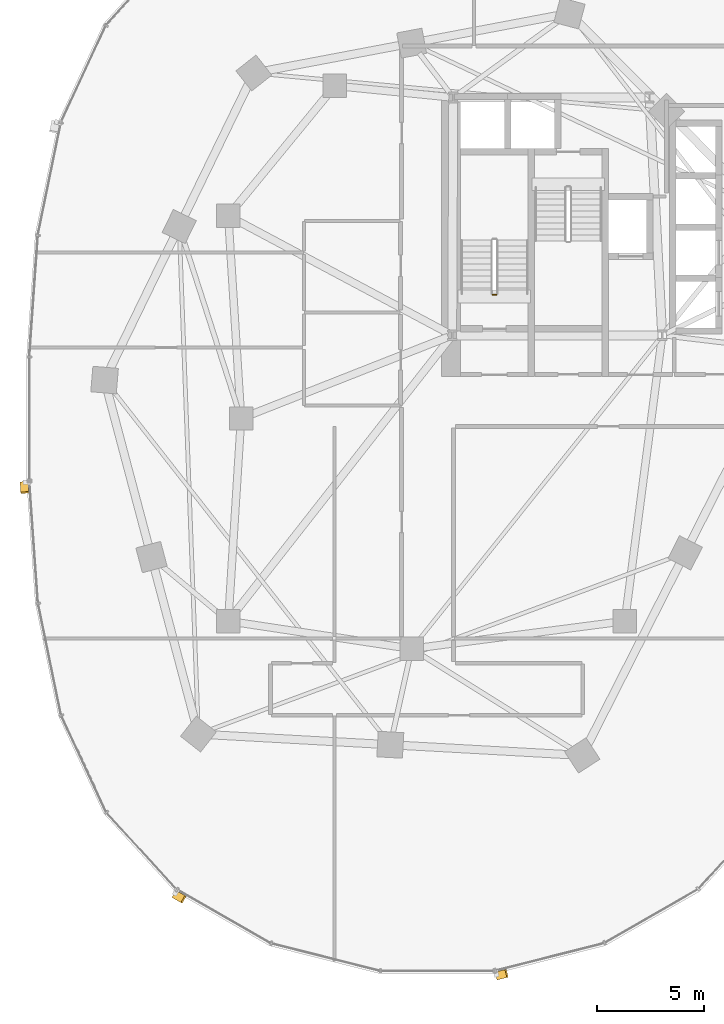
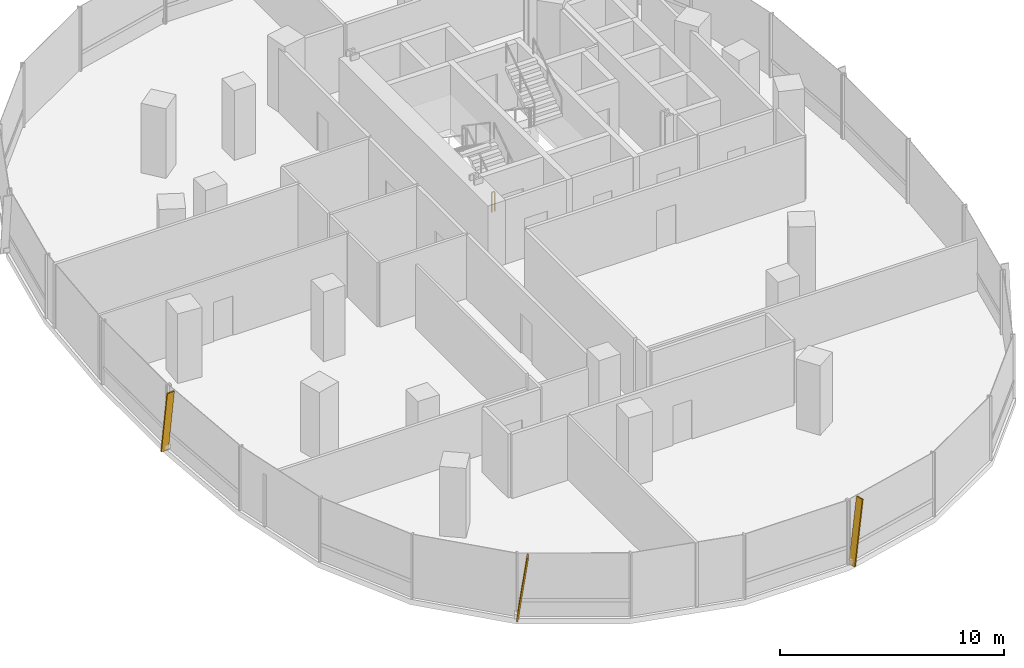
# One storey, part 17 of 21: 3 shading devices, 1 railing.
"""IFC4 building model written with IfcOpenShell, lengths in metres."""

import ifcopenshell
import ifcopenshell.guid

model = None  # the IFC model being written
_history = None  # IfcOwnerHistory: only IFC2X3 demands one
_inside = {}  # id of a spatial element -> (the spatial element, [elements in it])
_under = {}  # id of a project, library or spatial element -> (it, [spatial elements below it])
_declared = {}  # id of a project -> (the project, [libraries it declares])
_typed = {}  # id of a type object -> (the type object, [elements of that type])
_made_of = {}  # id of a material, layer set ... -> (it, [elements and type objects made of it])


def new_model(schema):
    """Start an empty IFC model of exactly this schema.

    Asked for "IFC4X3", IfcOpenShell would pick the latest addendum, in which some entities
    have other attributes; the version numbers below select the first issue.
    IFC2X3 requires an IfcOwnerHistory on every rooted entity: one is made here for all.
    """
    global model, _history
    if schema == "IFC4X3":
        model = ifcopenshell.file(schema_version=(4, 3, 0, 0))
    else:
        model = ifcopenshell.file(schema=schema)
    _inside.clear()
    _under.clear()
    _declared.clear()
    _typed.clear()
    _made_of.clear()
    _history = None
    if model.schema == "IFC2X3":
        org = make("IfcOrganization", Name="unknown")
        user = make(
            "IfcPersonAndOrganization",
            ThePerson=make("IfcPerson", FamilyName="unknown"),
            TheOrganization=org,
        )
        app = make(
            "IfcApplication",
            ApplicationDeveloper=org,
            Version="unknown",
            ApplicationFullName="unknown",
            ApplicationIdentifier="unknown",
        )
        _history = make(
            "IfcOwnerHistory",
            OwningUser=user,
            OwningApplication=app,
            ChangeAction="ADDED",
            CreationDate=0,
        )
    return model


def make(cls, **values):
    """One entity of the class cls with the attributes given. An attribute that is None is left unset."""
    return model.create_entity(
        cls, **{name: value for name, value in values.items() if value is not None}
    )


def rooted(cls, **values):
    """An entity with a GlobalId (a new one), such as an element, a storey or a relation."""
    return make(cls, GlobalId=ifcopenshell.guid.new(), OwnerHistory=_history, **values)


def si_unit(unit_type, name, prefix=None):
    """IfcSIUnit, for example si_unit("LENGTHUNIT", "METRE", prefix="MILLI")."""
    return make("IfcSIUnit", UnitType=unit_type, Prefix=prefix, Name=name)


def assignment(units):
    """IfcUnitAssignment: the units of a project."""
    return None if units is None else make("IfcUnitAssignment", Units=units)


def point(xyz):
    """IfcCartesianPoint."""
    return None if xyz is None else make("IfcCartesianPoint", Coordinates=xyz)


def direction(xyz):
    """IfcDirection."""
    return None if xyz is None else make("IfcDirection", DirectionRatios=xyz)


def frame(location, z_axis=None, x_axis=None):
    """IfcAxis2Placement3D, a coordinate frame: its origin and axes. An axis left out is left unset."""
    return make(
        "IfcAxis2Placement3D",
        Location=point(location),
        Axis=direction(z_axis),
        RefDirection=direction(x_axis),
    )


def frame_2d(location, x_axis=None):
    """IfcAxis2Placement2D, a coordinate frame in the plane: its origin and x axis."""
    return make(
        "IfcAxis2Placement2D", Location=point(location), RefDirection=direction(x_axis)
    )


def origin():
    """The frame at (0, 0, 0) with its axes left unset."""
    return frame((0.0, 0.0, 0.0))


def origin_2d():
    """The frame at (0, 0) in the plane with its x axis left unset."""
    return frame_2d((0.0, 0.0))


def place(relative_to, where):
    """IfcLocalPlacement: puts the frame where relative to a parent placement (None: the world)."""
    return make(
        "IfcLocalPlacement", PlacementRelTo=relative_to, RelativePlacement=where
    )


def context(
    kind, dimensions, precision=None, world=None, true_north=None, identifier=None
):
    """IfcGeometricRepresentationContext, for example the 3D "Model" context."""
    return make(
        "IfcGeometricRepresentationContext",
        ContextIdentifier=identifier,
        ContextType=kind,
        CoordinateSpaceDimension=dimensions,
        Precision=precision,
        WorldCoordinateSystem=world,
        TrueNorth=true_north,
    )


def subcontext(parent, identifier, kind, view, scale=None):
    """IfcGeometricRepresentationSubContext, for example "Body" below "Model"."""
    return make(
        "IfcGeometricRepresentationSubContext",
        ContextIdentifier=identifier,
        ContextType=kind,
        ParentContext=parent,
        TargetScale=scale,
        TargetView=view,
    )


def project(units=None, contexts=None):
    """IfcProject with its units and contexts."""
    return rooted(
        "IfcProject",
        Name="project",
        RepresentationContexts=contexts,
        UnitsInContext=assignment(units),
    )


def spatial(cls, under=None, at=None, **own):
    """A site, building, storey or space (cls), placed at a placement, below another one or the project."""
    s = rooted(cls, ObjectPlacement=at, **own)
    if under is not None:
        _under.setdefault(under.id(), (under, []))[1].append(s)
    return s


def profile(cls, at=None, kind="AREA", **sizes):
    """A parametric profile (cls). Its sizes go by their IFC names, for example OverallWidth=200.0."""
    return make(cls, ProfileType=kind, Position=at, **sizes)


def rectangle(**sizes):
    """IfcRectangleProfileDef."""
    return profile("IfcRectangleProfileDef", **sizes)


def extrude(swept, where, along, depth):
    """IfcExtrudedAreaSolid: the profile swept, set in the frame where, extruded along a direction by depth."""
    return make(
        "IfcExtrudedAreaSolid",
        SweptArea=swept,
        Position=where,
        ExtrudedDirection=direction(along),
        Depth=depth,
    )


def shape(context_of_items, identifier, shape_type, items):
    """IfcShapeRepresentation: the items that make up one representation, for example the "Body"."""
    return make(
        "IfcShapeRepresentation",
        ContextOfItems=context_of_items,
        RepresentationIdentifier=identifier,
        RepresentationType=shape_type,
        Items=items,
    )


def material(Name=None, Category=None):
    """IfcMaterial."""
    return make("IfcMaterial", Name=Name, Category=Category)


def material_profile(
    of_material, cross_section, Name=None, Category=None, Priority=None
):
    """IfcMaterialProfile: a cross section and its material."""
    return make(
        "IfcMaterialProfile",
        Name=Name,
        Material=of_material,
        Profile=cross_section,
        Priority=Priority,
        Category=Category,
    )


def profile_set(profiles, Name=None, composite=None):
    """IfcMaterialProfileSet."""
    return make(
        "IfcMaterialProfileSet",
        Name=Name,
        MaterialProfiles=profiles,
        CompositeProfile=composite,
    )


def made_of(thing, what):
    """Note that an element or type object is made of a material, layer set ...; save() writes the relation."""
    if what is not None:
        _made_of.setdefault(what.id(), (what, []))[1].append(thing)
    return thing


def type_object(cls, material=None, **own):
    """A type object (cls), such as IfcWallType, which elements share."""
    return made_of(rooted(cls, **own), material)


def element(
    cls,
    number,
    at=None,
    inside=None,
    cuts=None,
    type_object=None,
    material=None,
    context=None,
    identifier="Body",
    shape_type=None,
    held_by="IfcProductDefinitionShape",
    body=None,
    shapes=None,
    **own,
):
    """One element of the class cls, such as IfcWall. Its Tag is "e" and its number.

    at: its placement. inside: the storey or other place that contains it. cuts: it is an
    opening in that element (IfcRelVoidsElement). A single representation is given by context,
    identifier, shape_type and body (its items); several are given by shapes. held_by: the class
    of the entity that holds the representations. save() writes the other relations.
    """
    e = rooted(cls, Tag="e%d" % number, ObjectPlacement=at, **own)
    if body is not None:
        shapes = [shape(context, identifier, shape_type, body)]
    if shapes is not None:
        e.Representation = make(held_by, Representations=shapes)
    if inside is not None:
        _inside.setdefault(inside.id(), (inside, []))[1].append(e)
    if cuts is not None:
        rooted(
            "IfcRelVoidsElement", RelatingBuildingElement=cuts, RelatedOpeningElement=e
        )
    if type_object is not None:
        _typed.setdefault(type_object.id(), (type_object, []))[1].append(e)
    return made_of(e, material)


def aggregate(whole, parts):
    """IfcRelAggregates: a whole, such as a stair, and the parts it consists of."""
    return rooted("IfcRelAggregates", RelatingObject=whole, RelatedObjects=parts)


def save(model, path):
    """Write the relations noted so far, then the file.

    IfcRelAggregates (storeys below a building ...), IfcRelContainedInSpatialStructure (elements
    in a storey), IfcRelDefinesByType, IfcRelAssociatesMaterial and IfcRelDeclares: one each for
    every whole, place, type object, material and project.
    """
    for whole, parts in _under.values():
        aggregate(whole, parts)
    for where, things in _inside.values():
        rooted(
            "IfcRelContainedInSpatialStructure",
            RelatedElements=things,
            RelatingStructure=where,
        )
    for kind, things in _typed.values():
        rooted("IfcRelDefinesByType", RelatedObjects=things, RelatingType=kind)
    for what, things in _made_of.values():
        rooted("IfcRelAssociatesMaterial", RelatedObjects=things, RelatingMaterial=what)
    for by, libraries in _declared.values():
        rooted("IfcRelDeclares", RelatingContext=by, RelatedDefinitions=libraries)
    model.write(path)


model = new_model("IFC4")

# Units and contexts
model_context = context("Model", 3, precision=1e-05, world=origin(), true_north=direction((0.0, 1.0)))
body_context = subcontext(model_context, "Body", "Model", "MODEL_VIEW")
ifc_project = project(units=[si_unit("LENGTHUNIT", "METRE"), si_unit("AREAUNIT", "SQUARE_METRE"), si_unit("VOLUMEUNIT", "CUBIC_METRE"), si_unit("PLANEANGLEUNIT", "RADIAN"), si_unit("MASSUNIT", "GRAM", prefix="KILO"), si_unit("THERMODYNAMICTEMPERATUREUNIT", "KELVIN"), si_unit("POWERUNIT", "WATT")], contexts=[model_context])

# Site, building, storey
site_placement = place(None, origin())
site = spatial("IfcSite", under=ifc_project, at=site_placement, CompositionType="ELEMENT")
building_placement = place(site_placement, origin())
building = spatial("IfcBuilding", under=site, at=building_placement, Name="Cundina Bronze Exchange", CompositionType="ELEMENT")
storey_placement = place(building_placement, frame((0.0, 0.0, 54.39990234375)))
storey = spatial("IfcBuildingStorey", under=building, at=storey_placement, Name="L13", CompositionType="ELEMENT", Elevation=54.39990234375)

# Railing
ifc_material_1 = material(Name="Steel ASTM A36 Painted", Category="steel")
railing_type = type_object("IfcRailingType", Name="RLG-STG-1100", PredefinedType="GUARDRAIL", material=ifc_material_1)
railing_placement = place(storey_placement, frame((-29.239990234375, 5.800048828125, 0.0)))
element("IfcRailing", 1, at=railing_placement, inside=storey, type_object=railing_type, Name="L13 ST-W1 stair guard 4", PredefinedType="GUARDRAIL", context=body_context, shape_type="SweptSolid", body=[
    extrude(rectangle(XDim=0.048095703125, YDim=0.048095703125, at=origin_2d()), frame((0.0, 0.0, 1.076171875), z_axis=(-1.0, 0.0, 0.0), x_axis=(0.0, -1.0, 0.0)), (0.0, 0.0, 1.0), 0.159912109375),
    extrude(rectangle(XDim=0.0419921875, YDim=0.0419921875, at=origin_2d()), origin(), (0.0, 0.0, 1.0), 1.052001953125),
    extrude(rectangle(XDim=0.0419921875, YDim=0.0419921875, at=origin_2d()), frame((-0.159912109375, 0.0, 0.0)), (0.0, 0.0, 1.0), 1.052001953125),
])

# Shading devices
ifc_material_2 = material(Name="Anodised Bronze Aluminium 6063-T6", Category="aluminium")
ifc_material_profile = material_profile(ifc_material_2, rectangle(XDim=0.070068359375, YDim=0.3798828125, at=origin_2d()), Name="FIN70X380", Category="aluminium")
ifc_profile_set = profile_set([ifc_material_profile], Name="Anodised Bronze Aluminium 6063-T6")
shading_device_type = type_object("IfcShadingDeviceType", Name="SHD-FIN-BRZ380", PredefinedType="USERDEFINED", material=ifc_profile_set)
for number, where, z_axis, x_axis, name in (
    (2, (-51.3740234375, -2.993896484375, 0.02001953125), (0.009645159174, -0.137059109714, 0.990515911709), (-0.06953288269, 0.988072340253, 0.137398066402), "L13 Diagonal Bronze Solar Fin 1"),
    (3, (-44.314208984375, -22.314208984375, 0.02001953125), (0.119166378275, -0.06842456559, 0.990513731915), (-0.85898178632, 0.493221799887, 0.137413779831), "L13 Diagonal Bronze Solar Fin 5"),
    (4, (-29.212646484375, -26.138427734375, 0.02001953125), (0.133214830938, 0.033688115694, 0.990514472221), (-0.960284642503, -0.242842181368, 0.137408443412), "L13 Diagonal Bronze Solar Fin 1"),
):
    element("IfcShadingDevice", number, at=place(storey_placement, frame(where, z_axis=z_axis, x_axis=x_axis)), inside=storey, type_object=shading_device_type, Name=name, ObjectType="FIN", PredefinedType="USERDEFINED", context=body_context, shape_type="SweptSolid", body=[
        extrude(rectangle(XDim=0.070068359375, YDim=0.3798828125, at=origin_2d()), origin(), (0.0, 0.0, 1.0), 3.4931640625),
    ])

save(model, "model.ifc")
